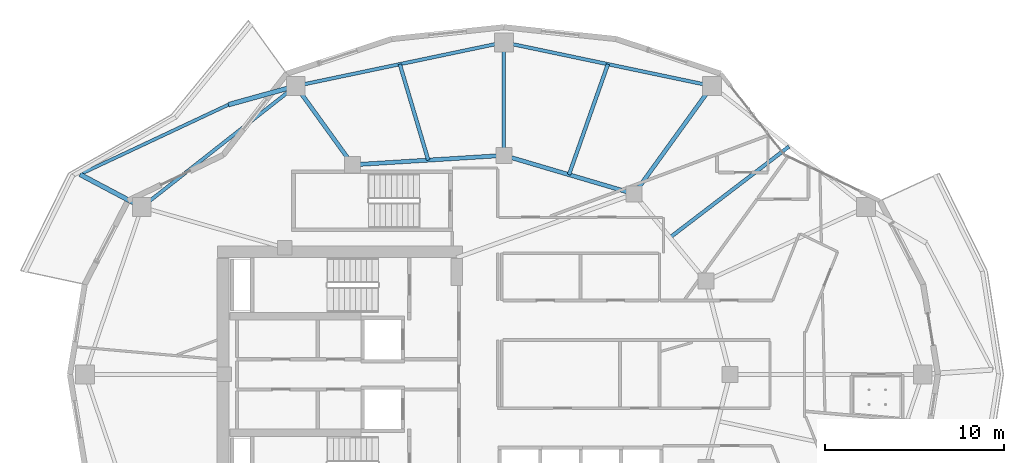
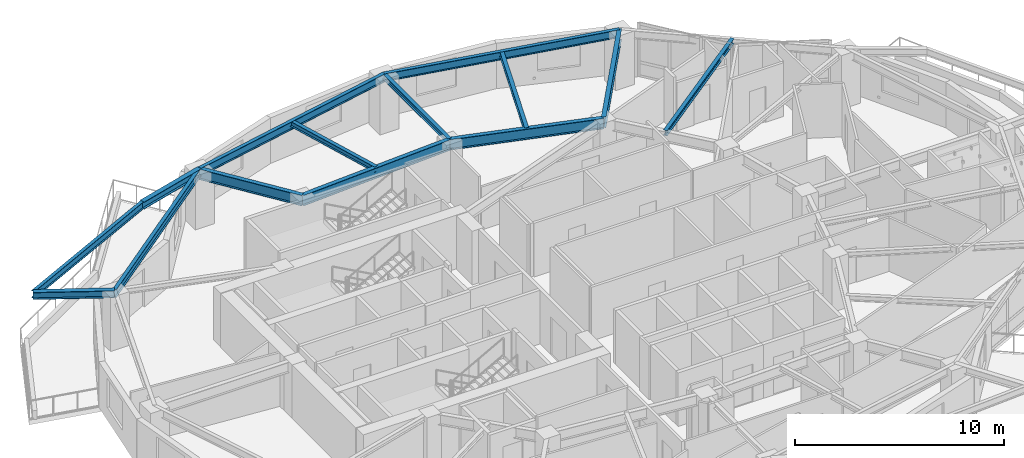
# One storey, part 3 of 15: 14 beams.
"""IFC4 building model written with IfcOpenShell, lengths in metres."""

from ifc_helpers import new_model, si_unit, direction, frame, origin, origin_2d, place, context, subcontext, project, spatial, i_section, extrude, material, material_profile, profile_set, type_object, element, save


model = new_model("IFC4")

# Units and contexts
model_context = context("Model", 3, precision=1e-05, world=origin(), true_north=direction((0.0, 1.0)))
body_context = subcontext(model_context, "Body", "Model", "MODEL_VIEW")
ifc_project = project(units=[si_unit("LENGTHUNIT", "METRE"), si_unit("AREAUNIT", "SQUARE_METRE"), si_unit("VOLUMEUNIT", "CUBIC_METRE"), si_unit("PLANEANGLEUNIT", "RADIAN"), si_unit("MASSUNIT", "GRAM", prefix="KILO")], contexts=[model_context])

# Site, building, storey
site_placement = place(None, origin())
site = spatial("IfcSite", under=ifc_project, at=site_placement, CompositionType="ELEMENT")
building_placement = place(site_placement, origin())
building = spatial("IfcBuilding", under=site, at=building_placement, Name="Kolvaren Gate Tower and Convention Centre", CompositionType="ELEMENT")
storey_placement = place(building_placement, frame((0.0, 0.0, 129.10009765625)))
storey = spatial("IfcBuildingStorey", under=building, at=storey_placement, Name="L32", CompositionType="ELEMENT", Elevation=129.10009765625)

# Beams
ifc_material = material(Name="Structural steel ASTM A992 Grade 345 MPa", Category="steel")
ifc_material_profile_1 = material_profile(ifc_material, i_section(OverallWidth=0.260009765625, OverallDepth=0.419921875, WebThickness=0.013427734375, FlangeThickness=0.0224609375, at=origin_2d()), Name="W410X132")
ifc_profile_set_1 = profile_set([ifc_material_profile_1], Name="Structural steel ASTM A992 Grade 345 MPa")
beam_type_1 = type_object("IfcBeamType", Name="STR-BM-W410X132", PredefinedType="BEAM", material=ifc_profile_set_1)
beam_1_placement = place(storey_placement, frame((18.52880859375, 43.068359375, 2.92041015625), z_axis=(-0.963563633004, -0.267479205082, 0.0), x_axis=(0.267479205082, -0.963563633004, 0.0)))
element("IfcBeam", 1, at=beam_1_placement, inside=storey, type_object=beam_type_1, Name="Tower L33 Planted Balcony Outrigger Cantilever BC-1A", PredefinedType="BEAM", context=body_context, shape_type="SweptSolid", body=[
    extrude(i_section(OverallWidth=0.260009765625, OverallDepth=0.419921875, WebThickness=0.013427734375, FlangeThickness=0.0224609375, at=origin_2d()), origin(), (0.0, 0.0, 1.0), 3.900146484375),
])
beam_2_placement = place(storey_placement, frame((9.94970703125, 36.318603515625, 2.92041015625), z_axis=(-0.883728523532, 0.467999889632, 0.0), x_axis=(-0.467999889632, -0.883728523532, 0.0)))
element("IfcBeam", 2, at=beam_2_placement, inside=storey, type_object=beam_type_1, Name="Tower L33 Planted Balcony Outrigger Cantilever BC-1B", PredefinedType="BEAM", context=body_context, shape_type="SweptSolid", body=[
    extrude(i_section(OverallWidth=0.260009765625, OverallDepth=0.419921875, WebThickness=0.013427734375, FlangeThickness=0.0224609375, at=origin_2d()), origin(), (0.0, 0.0, 1.0), 3.89990234375),
])
ifc_material_profile_2 = material_profile(ifc_material, i_section(OverallWidth=0.22998046875, OverallDepth=0.616943359375, WebThickness=0.01318359375, FlangeThickness=0.022216796875, at=origin_2d()), Name="W610X140")
ifc_profile_set_2 = profile_set([ifc_material_profile_2], Name="Structural steel ASTM A992 Grade 345 MPa")
beam_type_2 = type_object("IfcBeamType", Name="STR-BM-W610X140", PredefinedType="BEAM", material=ifc_profile_set_2)
beam_3_placement = place(storey_placement, frame((37.381591796875, 37.054931640625, 2.8212890625), z_axis=(-0.958980837827, 0.283470902706, 0.0), x_axis=(-0.283470902706, -0.958980837827, 0.0)))
element("IfcBeam", 3, at=beam_3_placement, inside=storey, type_object=beam_type_2, Name="Tower L32 Primary Ring Girder G-03", PredefinedType="BEAM", context=body_context, shape_type="SweptSolid", body=[
    extrude(i_section(OverallWidth=0.22998046875, OverallDepth=0.616943359375, WebThickness=0.01318359375, FlangeThickness=0.022216796875, at=origin_2d()), origin(), (0.0, 0.0, 1.0), 7.56689453125),
])
beam_4_placement = place(storey_placement, frame((30.125, 39.199951171875, 2.8212890625), z_axis=(-0.998078258568, -0.06196603726, 0.0), x_axis=(0.06196603726, -0.998078258568, 0.0)))
element("IfcBeam", 4, at=beam_4_placement, inside=storey, type_object=beam_type_2, Name="Tower L32 Primary Ring Girder G-04", PredefinedType="BEAM", context=body_context, shape_type="SweptSolid", body=[
    extrude(i_section(OverallWidth=0.22998046875, OverallDepth=0.616943359375, WebThickness=0.01318359375, FlangeThickness=0.022216796875, at=origin_2d()), origin(), (0.0, 0.0, 1.0), 8.443115234375),
])
beam_5_placement = place(storey_placement, frame((37.381591796875, 37.054931640625, 2.8212890625), z_axis=(0.585208050015, 0.810883184064, 0.0), x_axis=(-0.810883184064, 0.585208050015, 0.0)))
element("IfcBeam", 5, at=beam_5_placement, inside=storey, type_object=beam_type_2, Name="Tower L32 Radial Floor Girder RB-03", PredefinedType="BEAM", context=body_context, shape_type="SweptSolid", body=[
    extrude(i_section(OverallWidth=0.22998046875, OverallDepth=0.616943359375, WebThickness=0.01318359375, FlangeThickness=0.022216796875, at=origin_2d()), origin(), (0.0, 0.0, 1.0), 7.416015625),
])
beam_6_placement = place(storey_placement, frame((21.697998046875, 38.6767578125, 2.8212890625), z_axis=(-0.585184369967, 0.810900273243, 0.0), x_axis=(-0.810900273243, -0.585184369967, 0.0)))
element("IfcBeam", 6, at=beam_6_placement, inside=storey, type_object=beam_type_2, Name="Tower L32 Radial Floor Girder RB-05", PredefinedType="BEAM", context=body_context, shape_type="SweptSolid", body=[
    extrude(i_section(OverallWidth=0.22998046875, OverallDepth=0.616943359375, WebThickness=0.01318359375, FlangeThickness=0.022216796875, at=origin_2d()), origin(), (0.0, 0.0, 1.0), 5.415771484375),
])
ifc_material_profile_3 = material_profile(ifc_material, i_section(OverallWidth=0.205078125, OverallDepth=0.31005859375, WebThickness=0.009521484375, FlangeThickness=0.016357421875, at=origin_2d()), Name="W310X74")
ifc_profile_set_3 = profile_set([ifc_material_profile_3], Name="Structural steel ASTM A992 Grade 345 MPa")
beam_type_3 = type_object("IfcBeamType", Name="STR-JS-W310X74", PredefinedType="JOIST", material=ifc_profile_set_3)
beam_7_placement = place(storey_placement, frame((30.125, 39.199951171875, 2.974853515625), z_axis=(0.0, 1.0, 0.0), x_axis=(-1.0, 0.0, 0.0)))
element("IfcBeam", 7, at=beam_7_placement, inside=storey, type_object=beam_type_3, Name="Tower L32 Radial Floor Girder RB-04", PredefinedType="JOIST", context=body_context, shape_type="SweptSolid", body=[
    extrude(i_section(OverallWidth=0.205078125, OverallDepth=0.31005859375, WebThickness=0.009521484375, FlangeThickness=0.016357421875, at=origin_2d()), origin(), (0.0, 0.0, 1.0), 6.300048828125),
])
beam_8_placement = place(storey_placement, frame((39.3818359375, 34.627197265625, 2.974853515625), z_axis=(0.79454218325, 0.607208958297, 0.0), x_axis=(-0.607208958297, 0.79454218325, 0.0)))
element("IfcBeam", 8, at=beam_8_placement, inside=storey, type_object=beam_type_3, Name="Tower L32 Secondary Composite Floor Joist J-02.1", PredefinedType="JOIST", context=body_context, shape_type="SweptSolid", body=[
    extrude(i_section(OverallWidth=0.205078125, OverallDepth=0.31005859375, WebThickness=0.009521484375, FlangeThickness=0.016357421875, at=origin_2d()), origin(), (0.0, 0.0, 1.0), 8.34326171875),
])
beam_9_placement = place(storey_placement, frame((33.75341796875, 38.12744140625, 2.974853515625), z_axis=(0.332372088023, 0.943148342046, 0.0), x_axis=(-0.943148342046, 0.332372088023, 0.0)))
element("IfcBeam", 9, at=beam_9_placement, inside=storey, type_object=beam_type_3, Name="Tower L32 Secondary Composite Floor Joist J-03.1", PredefinedType="JOIST", context=body_context, shape_type="SweptSolid", body=[
    extrude(i_section(OverallWidth=0.205078125, OverallDepth=0.31005859375, WebThickness=0.009521484375, FlangeThickness=0.016357421875, at=origin_2d()), origin(), (0.0, 0.0, 1.0), 6.52783203125),
])
beam_10_placement = place(storey_placement, frame((25.91162109375, 38.938232421875, 2.974853515625), z_axis=(-0.284209081553, 0.958762326107, 0.0), x_axis=(-0.958762326107, -0.284209081553, 0.0)))
element("IfcBeam", 10, at=beam_10_placement, inside=storey, type_object=beam_type_3, Name="Tower L32 Secondary Composite Floor Joist J-04.1", PredefinedType="JOIST", context=body_context, shape_type="SweptSolid", body=[
    extrude(i_section(OverallWidth=0.205078125, OverallDepth=0.31005859375, WebThickness=0.009521484375, FlangeThickness=0.016357421875, at=origin_2d()), origin(), (0.0, 0.0, 1.0), 5.575927734375),
])
ifc_material_profile_4 = material_profile(ifc_material, i_section(OverallWidth=0.180908203125, OverallDepth=0.4169921875, WebThickness=0.010986328125, FlangeThickness=0.018310546875, at=origin_2d()), Name="W410X85")
ifc_profile_set_4 = profile_set([ifc_material_profile_4], Name="Structural steel ASTM A992 Grade 345 MPa")
beam_type_4 = type_object("IfcBeamType", Name="STR-SP-W410X85", PredefinedType="SPANDREL", material=ifc_profile_set_4)
beam_11_placement = place(storey_placement, frame((14.770751953125, 42.025146484375, 2.921875), z_axis=(-0.905209664084, -0.424965250402, 0.0), x_axis=(0.424965250402, -0.905209664084, 0.0)))
element("IfcBeam", 11, at=beam_11_placement, inside=storey, type_object=beam_type_4, Name="Tower L33 Planted Balcony Header Tie Beam BT-1", PredefinedType="SPANDREL", context=body_context, shape_type="SweptSolid", body=[
    extrude(i_section(OverallWidth=0.180908203125, OverallDepth=0.4169921875, WebThickness=0.010986328125, FlangeThickness=0.018310546875, at=origin_2d()), origin(), (0.0, 0.0, 1.0), 9.13330078125),
])
ifc_material_profile_5 = material_profile(ifc_material, i_section(OverallWidth=0.194091796875, OverallDepth=0.468994140625, WebThickness=0.0126953125, FlangeThickness=0.0205078125, at=origin_2d()), Name="W460X106")
ifc_profile_set_5 = profile_set([ifc_material_profile_5], Name="Structural steel ASTM A992 Grade 345 MPa")
beam_type_5 = type_object("IfcBeamType", Name="STR-SP-W460X106", PredefinedType="SPANDREL", material=ifc_profile_set_5)
beam_12_placement = place(storey_placement, frame((41.721435546875, 43.068359375, 2.8955078125), z_axis=(-0.978714746947, 0.205225349578, 0.0), x_axis=(-0.205225349578, -0.978714746947, 0.0)))
element("IfcBeam", 12, at=beam_12_placement, inside=storey, type_object=beam_type_5, Name="Tower L32 Perimeter Spandrel Beam SP-03", PredefinedType="SPANDREL", context=body_context, shape_type="SweptSolid", body=[
    extrude(i_section(OverallWidth=0.194091796875, OverallDepth=0.468994140625, WebThickness=0.0126953125, FlangeThickness=0.0205078125, at=origin_2d()), origin(), (0.0, 0.0, 1.0), 11.8486328125),
])
beam_13_placement = place(storey_placement, frame((30.125, 45.5, 2.8955078125), z_axis=(-0.978713879092, -0.20522948831, 0.0), x_axis=(0.20522948831, -0.978713879092, 0.0)))
element("IfcBeam", 13, at=beam_13_placement, inside=storey, type_object=beam_type_5, Name="Tower L32 Perimeter Spandrel Beam SP-04", PredefinedType="SPANDREL", context=body_context, shape_type="SweptSolid", body=[
    extrude(i_section(OverallWidth=0.194091796875, OverallDepth=0.468994140625, WebThickness=0.0126953125, FlangeThickness=0.0205078125, at=origin_2d()), origin(), (0.0, 0.0, 1.0), 11.848388671875),
])
beam_14_placement = place(storey_placement, frame((18.52880859375, 43.068359375, 2.8955078125), z_axis=(-0.785916161629, -0.61833307116, 0.0), x_axis=(0.61833307116, -0.785916161629, 0.0)))
element("IfcBeam", 14, at=beam_14_placement, inside=storey, type_object=beam_type_5, Name="Tower L32 Perimeter Spandrel Beam SP-05", PredefinedType="SPANDREL", context=body_context, shape_type="SweptSolid", body=[
    extrude(i_section(OverallWidth=0.194091796875, OverallDepth=0.468994140625, WebThickness=0.0126953125, FlangeThickness=0.0205078125, at=origin_2d()), origin(), (0.0, 0.0, 1.0), 10.916015625),
])

save(model, "model.ifc")
